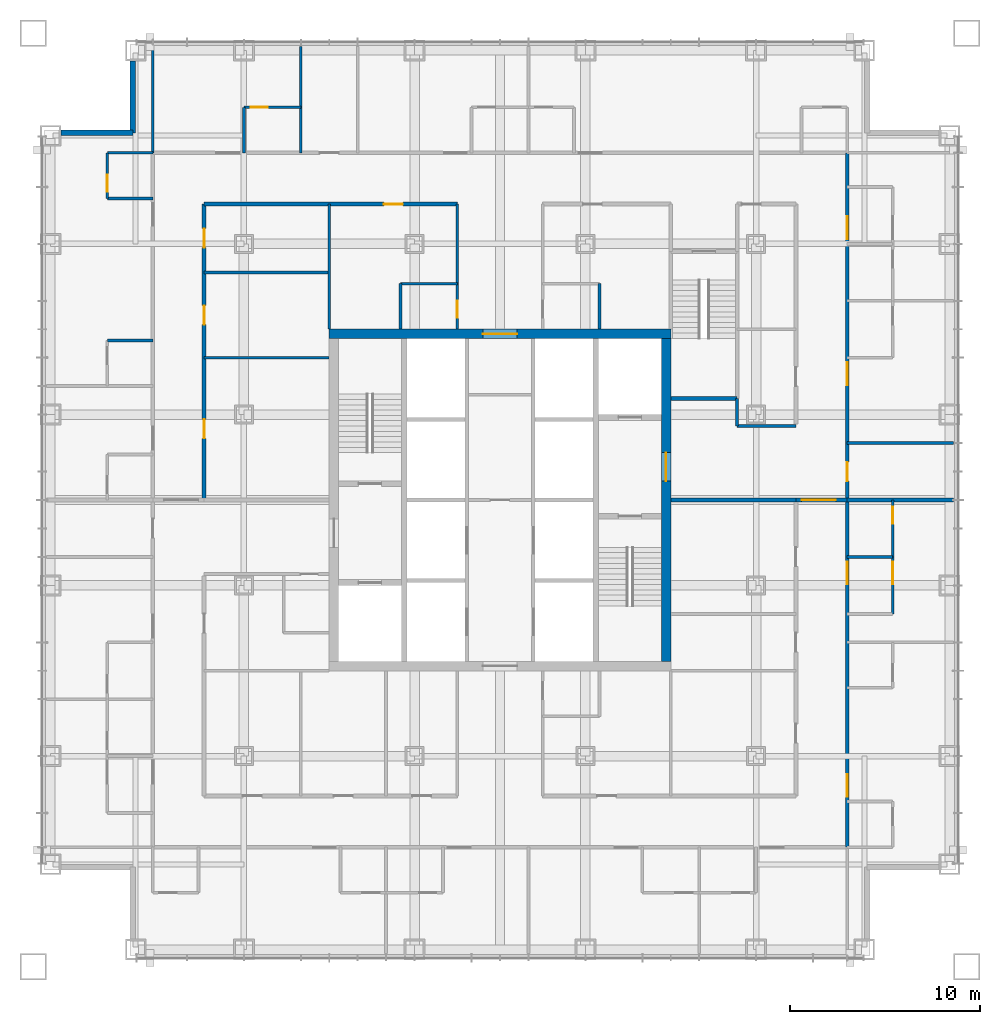
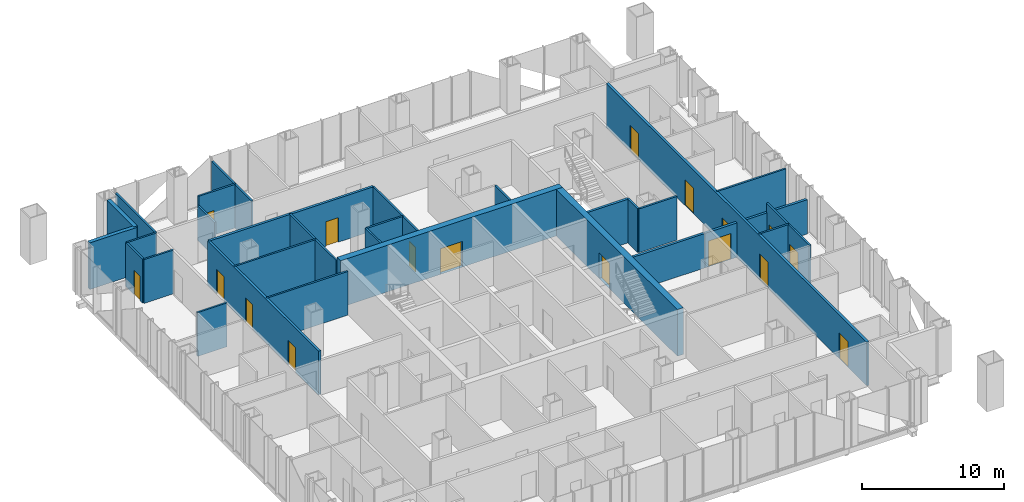
# One storey, part 11 of 16: 32 walls, 17 doors, 17 openings.
"""IFC4 building model written with IfcOpenShell, lengths in metres."""

from ifc_helpers import new_model, si_unit, direction, frame, frame_2d, origin, place, context, subcontext, project, spatial, rectangle, extrude, material, layer, layer_set, type_object, element, fill, save


model = new_model("IFC4")

# Units and contexts
model_context = context("Model", 3, precision=1e-05, world=origin(), true_north=direction((0.0, 1.0)))
body_context = subcontext(model_context, "Body", "Model", "MODEL_VIEW")
ifc_project = project(units=[si_unit("LENGTHUNIT", "METRE"), si_unit("AREAUNIT", "SQUARE_METRE"), si_unit("VOLUMEUNIT", "CUBIC_METRE"), si_unit("PLANEANGLEUNIT", "RADIAN"), si_unit("MASSUNIT", "GRAM", prefix="KILO")], contexts=[model_context])

# Site, building, storey
site_placement = place(None, origin())
site = spatial("IfcSite", under=ifc_project, at=site_placement, CompositionType="ELEMENT")
building_placement = place(site_placement, origin())
building = spatial("IfcBuilding", under=site, at=building_placement, Name="Malebo Sky Hospital", CompositionType="ELEMENT")
storey_placement = place(building_placement, frame((0.0, 0.0, 144.0)))
storey = spatial("IfcBuildingStorey", under=building, at=storey_placement, Name="L34", CompositionType="ELEMENT", Elevation=144.0)

# Wall, opening, door
ifc_material_1 = material(Name="Concrete C80/95", Category="concrete")
ifc_layer_1 = layer(ifc_material_1, 0.5)
ifc_layer_set_1 = layer_set([ifc_layer_1], Name="CORE WALL 500")
wall_type_1 = type_object("IfcWallType", Name="CORE WALL 500", PredefinedType="SHEAR", material=ifc_layer_set_1)
wall_1_placement = place(storey_placement, frame((51.0, 70.75, 0.0), z_axis=(0.0, 0.0, 1.0), x_axis=(1.0, 0.0, 0.0)))
wall_1 = element("IfcWall", 1, at=wall_1_placement, inside=storey, type_object=wall_type_1, Name="Core wall N L34", PredefinedType="SHEAR", context=body_context, shape_type="SweptSolid", body=[
    extrude(rectangle(XDim=18.0, YDim=0.5, at=frame_2d((9.0, 0.0))), origin(), (0.0, 0.0, 1.0), 4.0),
])
opening_1_placement = place(wall_1_placement, frame((8.10009765625, 0.0, 0.0)))
opening_1 = element("IfcOpeningElement", 2, at=opening_1_placement, cuts=wall_1, Name="Opening D06", PredefinedType="OPENING", context=body_context, shape_type="SweptSolid", body=[
    extrude(rectangle(XDim=1.800048828125, YDim=2.199951171875, at=frame_2d((0.89990234375, 1.10009765625))), frame((0.0, 0.260009765625, 0.0), z_axis=(0.0, -1.0, 0.0), x_axis=(1.0, 0.0, 0.0)), (0.0, 0.0, 1.0), 0.52001953125),
])
ifc_material_2 = material(Name="Hardwood-faced door leaf in steel frame", Category="steel")
door_type_1 = type_object("IfcDoorType", Name="LOBBY DOOR PAIR 1800", OperationType="DOUBLE_DOOR_SINGLE_SWING", PredefinedType="DOOR", material=ifc_material_2)
door_1_placement = place(opening_1_placement, origin())
door_1 = element("IfcDoor", 3, at=door_1_placement, inside=storey, type_object=door_type_1, Name="vending room door north", OperationType="DOUBLE_DOOR_SINGLE_SWING", OverallHeight=2.199951171875, OverallWidth=1.800048828125, PredefinedType="DOOR", context=body_context, shape_type="SweptSolid", body=[
    extrude(rectangle(XDim=1.800048828125, YDim=2.199951171875, at=frame_2d((0.89990234375, 1.10009765625))), frame((0.0, 0.02490234375, 0.0), z_axis=(0.0, -1.0, 0.0), x_axis=(1.0, 0.0, 0.0)), (0.0, 0.0, 1.0), 0.050048828125),
])
fill(opening_1, door_1)

wall_2_placement = place(storey_placement, frame((68.75, 53.5, 0.0), z_axis=(0.0, 0.0, 1.0), x_axis=(0.0, 1.0, 0.0)))
wall_2 = element("IfcWall", 4, at=wall_2_placement, inside=storey, type_object=wall_type_1, Name="Core wall E L34", PredefinedType="SHEAR", context=body_context, shape_type="SweptSolid", body=[
    extrude(rectangle(XDim=17.0, YDim=0.5, at=frame_2d((8.5, 0.0))), origin(), (0.0, 0.0, 1.0), 4.0),
])
opening_2_placement = place(wall_2_placement, frame((9.5, 0.0, 0.0)))
opening_2 = element("IfcOpeningElement", 5, at=opening_2_placement, cuts=wall_2, Name="Opening D07", PredefinedType="OPENING", context=body_context, shape_type="SweptSolid", body=[
    extrude(rectangle(XDim=1.5, YDim=2.199951171875, at=frame_2d((0.75, 1.10009765625))), frame((0.0, 0.260009765625, 0.0), z_axis=(0.0, -1.0, 0.0), x_axis=(1.0, 0.0, 0.0)), (0.0, 0.0, 1.0), 0.52001953125),
])
door_type_2 = type_object("IfcDoorType", Name="FIRE-FIGHTING LOBBY DOOR PAIR 1500", OperationType="DOUBLE_DOOR_SINGLE_SWING", PredefinedType="DOOR", material=ifc_material_2)
door_2_placement = place(opening_2_placement, origin())
door_2 = element("IfcDoor", 6, at=door_2_placement, inside=storey, type_object=door_type_2, Name="Fire-fighting lobby door east", OperationType="DOUBLE_DOOR_SINGLE_SWING", OverallHeight=2.199951171875, OverallWidth=1.5, PredefinedType="DOOR", context=body_context, shape_type="SweptSolid", body=[
    extrude(rectangle(XDim=1.5, YDim=2.199951171875, at=frame_2d((0.75, 1.10009765625))), frame((0.0, 0.02490234375, 0.0), z_axis=(0.0, -1.0, 0.0), x_axis=(1.0, 0.0, 0.0)), (0.0, 0.0, 1.0), 0.050048828125),
])
fill(opening_2, door_2)

ifc_material_3 = material(Name="Gypsum board on steel studs", Category="steel")
ifc_layer_2 = layer(ifc_material_3, 0.199951171875)
ifc_layer_set_2 = layer_set([ifc_layer_2], Name="CORRIDOR WALL 200")
wall_type_2 = type_object("IfcWallType", Name="CORRIDOR WALL 200", PredefinedType="PARTITIONING", material=ifc_layer_set_2)
wall_3_placement = place(storey_placement, frame((44.39990234375, 77.60009765625, 0.0), z_axis=(0.0, 0.0, 1.0), x_axis=(1.0, 0.0, 0.0)))
wall_3 = element("IfcWall", 7, at=wall_3_placement, inside=storey, type_object=wall_type_2, Name="Corridor Wall 200 NCI1", PredefinedType="PARTITIONING", context=body_context, shape_type="SweptSolid", body=[
    extrude(rectangle(XDim=13.35009765625, YDim=0.199951171875, at=frame_2d((6.675048828125, 0.0))), origin(), (0.0, 0.0, 1.0), 3.75),
])
opening_3_placement = place(wall_3_placement, frame((9.47509765625, 0.0, 0.0)))
opening_3 = element("IfcOpeningElement", 8, at=opening_3_placement, cuts=wall_3, Name="Opening D03", PredefinedType="OPENING", context=body_context, shape_type="SweptSolid", body=[
    extrude(rectangle(XDim=1.0, YDim=2.10009765625, at=frame_2d((0.5, 1.050048828125))), frame((0.0, 0.10986328125, 0.0), z_axis=(0.0, -1.0, 0.0), x_axis=(1.0, 0.0, 0.0)), (0.0, 0.0, 1.0), 0.219970703125),
])
door_type_3 = type_object("IfcDoorType", Name="ROOM DOOR 1000", OperationType="SINGLE_SWING_LEFT", PredefinedType="DOOR", material=ifc_material_2)
door_3_placement = place(opening_3_placement, origin())
door_3 = element("IfcDoor", 9, at=door_3_placement, inside=storey, type_object=door_type_3, Name="Interview room door", OperationType="SINGLE_SWING_LEFT", OverallHeight=2.10009765625, OverallWidth=1.0, PredefinedType="DOOR", context=body_context, shape_type="SweptSolid", body=[
    extrude(rectangle(XDim=1.0, YDim=2.10009765625, at=frame_2d((0.5, 1.050048828125))), frame((0.0, 0.02490234375, 0.0), z_axis=(0.0, -1.0, 0.0), x_axis=(1.0, 0.0, 0.0)), (0.0, 0.0, 1.0), 0.050048828125),
])
fill(opening_3, door_3)

# Wall, openings, doors
wall_4_placement = place(storey_placement, frame((44.39990234375, 62.0, 0.0), z_axis=(0.0, 0.0, 1.0), x_axis=(0.0, 1.0, 0.0)))
wall_4 = element("IfcWall", 10, at=wall_4_placement, inside=storey, type_object=wall_type_2, Name="Corridor Wall 200 WCI2", PredefinedType="PARTITIONING", context=body_context, shape_type="SweptSolid", body=[
    extrude(rectangle(XDim=15.60009765625, YDim=0.199951171875, at=frame_2d((7.800048828125, 0.0))), origin(), (0.0, 0.0, 1.0), 3.75),
])
opening_4_placement = place(wall_4_placement, frame((3.25, 0.0, 0.0)))
opening_4 = element("IfcOpeningElement", 11, at=opening_4_placement, cuts=wall_4, Name="Opening D03", PredefinedType="OPENING", context=body_context, shape_type="SweptSolid", body=[
    extrude(rectangle(XDim=1.0, YDim=2.10009765625, at=frame_2d((0.5, 1.050048828125))), frame((0.0, 0.10986328125, 0.0), z_axis=(0.0, -1.0, 0.0), x_axis=(1.0, 0.0, 0.0)), (0.0, 0.0, 1.0), 0.219970703125),
])
opening_5_placement = place(wall_4_placement, frame((9.25, 0.0, 0.0)))
opening_5 = element("IfcOpeningElement", 12, at=opening_5_placement, cuts=wall_4, Name="Opening D03", PredefinedType="OPENING", context=body_context, shape_type="SweptSolid", body=[
    extrude(rectangle(XDim=1.0, YDim=2.10009765625, at=frame_2d((0.5, 1.050048828125))), frame((0.0, 0.10986328125, 0.0), z_axis=(0.0, -1.0, 0.0), x_axis=(1.0, 0.0, 0.0)), (0.0, 0.0, 1.0), 0.219970703125),
])
opening_6_placement = place(wall_4_placement, frame((13.300048828125, 0.0, 0.0)))
opening_6 = element("IfcOpeningElement", 13, at=opening_6_placement, cuts=wall_4, Name="Opening D03", PredefinedType="OPENING", context=body_context, shape_type="SweptSolid", body=[
    extrude(rectangle(XDim=1.0, YDim=2.10009765625, at=frame_2d((0.5, 1.050048828125))), frame((0.0, 0.10986328125, 0.0), z_axis=(0.0, -1.0, 0.0), x_axis=(1.0, 0.0, 0.0)), (0.0, 0.0, 1.0), 0.219970703125),
])
door_4_placement = place(opening_4_placement, origin())
door_4 = element("IfcDoor", 14, at=door_4_placement, inside=storey, type_object=door_type_3, Name="Staff rest room door", OperationType="SINGLE_SWING_LEFT", OverallHeight=2.10009765625, OverallWidth=1.0, PredefinedType="DOOR", context=body_context, shape_type="SweptSolid", body=[
    extrude(rectangle(XDim=1.0, YDim=2.10009765625, at=frame_2d((0.5, 1.050048828125))), frame((0.0, 0.02490234375, 0.0), z_axis=(0.0, -1.0, 0.0), x_axis=(1.0, 0.0, 0.0)), (0.0, 0.0, 1.0), 0.050048828125),
])
fill(opening_4, door_4)
door_5_placement = place(opening_5_placement, origin())
door_5 = element("IfcDoor", 15, at=door_5_placement, inside=storey, type_object=door_type_3, Name="Counselling room door", OperationType="SINGLE_SWING_LEFT", OverallHeight=2.10009765625, OverallWidth=1.0, PredefinedType="DOOR", context=body_context, shape_type="SweptSolid", body=[
    extrude(rectangle(XDim=1.0, YDim=2.10009765625, at=frame_2d((0.5, 1.050048828125))), frame((0.0, 0.02490234375, 0.0), z_axis=(0.0, -1.0, 0.0), x_axis=(1.0, 0.0, 0.0)), (0.0, 0.0, 1.0), 0.050048828125),
])
fill(opening_5, door_5)
door_6_placement = place(opening_6_placement, origin())
door_6 = element("IfcDoor", 16, at=door_6_placement, inside=storey, type_object=door_type_3, Name="Medication room door", OperationType="SINGLE_SWING_RIGHT", OverallHeight=2.10009765625, OverallWidth=1.0, PredefinedType="DOOR", context=body_context, shape_type="SweptSolid", body=[
    extrude(rectangle(XDim=1.0, YDim=2.10009765625, at=frame_2d((0.5, 1.050048828125))), frame((0.0, 0.02490234375, 0.0), z_axis=(0.0, -1.0, 0.0), x_axis=(1.0, 0.0, 0.0)), (0.0, 0.0, 1.0), 0.050048828125),
])
fill(opening_6, door_6)

wall_5_placement = place(storey_placement, frame((78.300048828125, 80.300048828125, 0.0), z_axis=(0.0, 0.0, 1.0), x_axis=(0.0, -1.0, 0.0)))
wall_5 = element("IfcWall", 17, at=wall_5_placement, inside=storey, type_object=wall_type_2, Name="Corridor Wall 200 ECO", PredefinedType="PARTITIONING", context=body_context, shape_type="SweptSolid", body=[
    extrude(rectangle(XDim=36.60009765625, YDim=0.199951171875, at=frame_2d((18.300048828125, 0.0))), origin(), (0.0, 0.0, 1.0), 3.75),
])
opening_7_placement = place(wall_5_placement, frame((3.35009765625, 0.0, 0.0)))
opening_7 = element("IfcOpeningElement", 18, at=opening_7_placement, cuts=wall_5, Name="Opening D18", PredefinedType="OPENING", context=body_context, shape_type="SweptSolid", body=[
    extrude(rectangle(XDim=1.199951171875, YDim=2.199951171875, at=frame_2d((0.60009765625, 1.10009765625))), frame((0.0, 0.10986328125, 0.0), z_axis=(0.0, -1.0, 0.0), x_axis=(1.0, 0.0, 0.0)), (0.0, 0.0, 1.0), 0.219970703125),
])
opening_8_placement = place(wall_5_placement, frame((11.050048828125, 0.0, 0.0)))
opening_8 = element("IfcOpeningElement", 19, at=opening_8_placement, cuts=wall_5, Name="Opening D01", PredefinedType="OPENING", context=body_context, shape_type="SweptSolid", body=[
    extrude(rectangle(XDim=1.199951171875, YDim=2.199951171875, at=frame_2d((0.60009765625, 1.10009765625))), frame((0.0, 0.10986328125, 0.0), z_axis=(0.0, -1.0, 0.0), x_axis=(1.0, 0.0, 0.0)), (0.0, 0.0, 1.0), 0.219970703125),
])
opening_9_placement = place(wall_5_placement, frame((16.300048828125, 0.0, 0.0)))
opening_9 = element("IfcOpeningElement", 20, at=opening_9_placement, cuts=wall_5, Name="Opening D03", PredefinedType="OPENING", context=body_context, shape_type="SweptSolid", body=[
    extrude(rectangle(XDim=1.0, YDim=2.10009765625, at=frame_2d((0.5, 1.050048828125))), frame((0.0, 0.10986328125, 0.0), z_axis=(0.0, -1.0, 0.0), x_axis=(1.0, 0.0, 0.0)), (0.0, 0.0, 1.0), 0.219970703125),
])
opening_10_placement = place(wall_5_placement, frame((21.550048828125, 0.0, 0.0)))
opening_10 = element("IfcOpeningElement", 21, at=opening_10_placement, cuts=wall_5, Name="Opening D18", PredefinedType="OPENING", context=body_context, shape_type="SweptSolid", body=[
    extrude(rectangle(XDim=1.199951171875, YDim=2.199951171875, at=frame_2d((0.60009765625, 1.10009765625))), frame((0.0, 0.10986328125, 0.0), z_axis=(0.0, -1.0, 0.0), x_axis=(1.0, 0.0, 0.0)), (0.0, 0.0, 1.0), 0.219970703125),
])
opening_11_placement = place(wall_5_placement, frame((32.75, 0.0, 0.0)))
opening_11 = element("IfcOpeningElement", 22, at=opening_11_placement, cuts=wall_5, Name="Opening D01", PredefinedType="OPENING", context=body_context, shape_type="SweptSolid", body=[
    extrude(rectangle(XDim=1.199951171875, YDim=2.199951171875, at=frame_2d((0.60009765625, 1.10009765625))), frame((0.0, 0.10986328125, 0.0), z_axis=(0.0, -1.0, 0.0), x_axis=(1.0, 0.0, 0.0)), (0.0, 0.0, 1.0), 0.219970703125),
])
door_type_4 = type_object("IfcDoorType", Name="ANTEROOM DOOR 1200", OperationType="SINGLE_SWING_LEFT", PredefinedType="DOOR", material=ifc_material_2)
door_7_placement = place(opening_7_placement, origin())
door_7 = element("IfcDoor", 23, at=door_7_placement, inside=storey, type_object=door_type_4, Name="Anteroom door", OperationType="SINGLE_SWING_RIGHT", OverallHeight=2.199951171875, OverallWidth=1.199951171875, PredefinedType="DOOR", context=body_context, shape_type="SweptSolid", body=[
    extrude(rectangle(XDim=1.199951171875, YDim=2.199951171875, at=frame_2d((0.60009765625, 1.10009765625))), frame((0.0, 0.02490234375, 0.0), z_axis=(0.0, -1.0, 0.0), x_axis=(1.0, 0.0, 0.0)), (0.0, 0.0, 1.0), 0.050048828125),
])
fill(opening_7, door_7)
door_8_placement = place(opening_10_placement, origin())
door_8 = element("IfcDoor", 24, at=door_8_placement, inside=storey, type_object=door_type_4, Name="Anteroom door", OperationType="SINGLE_SWING_LEFT", OverallHeight=2.199951171875, OverallWidth=1.199951171875, PredefinedType="DOOR", context=body_context, shape_type="SweptSolid", body=[
    extrude(rectangle(XDim=1.199951171875, YDim=2.199951171875, at=frame_2d((0.60009765625, 1.10009765625))), frame((0.0, 0.02490234375, 0.0), z_axis=(0.0, -1.0, 0.0), x_axis=(1.0, 0.0, 0.0)), (0.0, 0.0, 1.0), 0.050048828125),
])
fill(opening_10, door_8)
door_type_5 = type_object("IfcDoorType", Name="BED DOOR 1200", OperationType="SINGLE_SWING_LEFT", PredefinedType="DOOR", material=ifc_material_2)
door_9_placement = place(opening_8_placement, origin())
door_9 = element("IfcDoor", 25, at=door_9_placement, inside=storey, type_object=door_type_5, Name="Single bed room door", OperationType="SINGLE_SWING_LEFT", OverallHeight=2.199951171875, OverallWidth=1.199951171875, PredefinedType="DOOR", context=body_context, shape_type="SweptSolid", body=[
    extrude(rectangle(XDim=1.199951171875, YDim=2.199951171875, at=frame_2d((0.60009765625, 1.10009765625))), frame((0.0, 0.02490234375, 0.0), z_axis=(0.0, -1.0, 0.0), x_axis=(1.0, 0.0, 0.0)), (0.0, 0.0, 1.0), 0.050048828125),
])
fill(opening_8, door_9)
door_10_placement = place(opening_11_placement, origin())
door_10 = element("IfcDoor", 26, at=door_10_placement, inside=storey, type_object=door_type_5, Name="Four-bed bay door", OperationType="SINGLE_SWING_RIGHT", OverallHeight=2.199951171875, OverallWidth=1.199951171875, PredefinedType="DOOR", context=body_context, shape_type="SweptSolid", body=[
    extrude(rectangle(XDim=1.199951171875, YDim=2.199951171875, at=frame_2d((0.60009765625, 1.10009765625))), frame((0.0, 0.02490234375, 0.0), z_axis=(0.0, -1.0, 0.0), x_axis=(1.0, 0.0, 0.0)), (0.0, 0.0, 1.0), 0.050048828125),
])
fill(opening_11, door_10)
door_11_placement = place(opening_9_placement, origin())
door_11 = element("IfcDoor", 27, at=door_11_placement, inside=storey, type_object=door_type_3, Name="Interview room door", OperationType="SINGLE_SWING_RIGHT", OverallHeight=2.10009765625, OverallWidth=1.0, PredefinedType="DOOR", context=body_context, shape_type="SweptSolid", body=[
    extrude(rectangle(XDim=1.0, YDim=2.10009765625, at=frame_2d((0.5, 1.050048828125))), frame((0.0, 0.02490234375, 0.0), z_axis=(0.0, -1.0, 0.0), x_axis=(1.0, 0.0, 0.0)), (0.0, 0.0, 1.0), 0.050048828125),
])
fill(opening_9, door_11)

# Walls
ifc_material_4 = material(Name="Anodised aluminium rainscreen on steel framing", Category="steel")
ifc_layer_3 = layer(ifc_material_4, 0.300048828125)
ifc_layer_set_3 = layer_set([ifc_layer_3], Name="NOTCH RAINSCREEN WALL 300")
wall_type_3 = type_object("IfcWallType", Name="NOTCH RAINSCREEN WALL 300", PredefinedType="ELEMENTEDWALL", material=ifc_layer_set_3)
for number, where, z_axis, x_axis, name in (
    (28, (36.85009765625, 81.35009765625, 0.0), (0.0, 0.0, 1.0), (1.0, 0.0, 0.0), "Notch rainscreen wall W1 L34"),
    (29, (40.64990234375, 81.35009765625, 0.0), (0.0, 0.0, 1.0), (0.0, 1.0, 0.0), "Notch rainscreen wall W2 L34"),
):
    element("IfcWall", number, at=place(storey_placement, frame(where, z_axis=z_axis, x_axis=x_axis)), inside=storey, type_object=wall_type_3, Name=name, PredefinedType="ELEMENTEDWALL", context=body_context, shape_type="SweptSolid", body=[
        extrude(rectangle(XDim=3.7998046875, YDim=0.300048828125, at=frame_2d((1.89990234375, 0.0))), origin(), (0.0, 0.0, 1.0), 4.0),
    ])
ifc_layer_4 = layer(ifc_material_3, 0.14990234375)
ifc_layer_set_4 = layer_set([ifc_layer_4], Name="PARTITION 150")
wall_type_4 = type_object("IfcWallType", Name="PARTITION 150", PredefinedType="PARTITIONING", material=ifc_layer_set_4)
for number, where, z_axis, x_axis, name in (
    (30, (49.5, 80.300048828125, 0.0), (0.0, 0.0, 1.0), (0.0, 1.0, 0.0), "Partition 150 NP-10.5"),
    (31, (41.699951171875, 80.300048828125, 0.0), (0.0, 0.0, 1.0), (0.0, 1.0, 0.0), "Partition 150 NP0"),
):
    element("IfcWall", number, at=place(storey_placement, frame(where, z_axis=z_axis, x_axis=x_axis)), inside=storey, type_object=wall_type_4, Name=name, PredefinedType="PARTITIONING", context=body_context, shape_type="SweptSolid", body=[
        extrude(rectangle(XDim=5.60986328125, YDim=0.14990234375, at=frame_2d((2.804931640625, 0.0))), origin(), (0.0, 0.0, 1.0), 3.75),
    ])

# Wall, opening, door
wall_6_placement = place(storey_placement, frame((46.5, 82.699951171875, 0.0), z_axis=(0.0, 0.0, 1.0), x_axis=(1.0, 0.0, 0.0)))
wall_6 = element("IfcWall", 32, at=wall_6_placement, inside=storey, type_object=wall_type_4, Name="Partition 150 NE0F", PredefinedType="PARTITIONING", context=body_context, shape_type="SweptSolid", body=[
    extrude(rectangle(XDim=3.0, YDim=0.14990234375, at=frame_2d((1.5, 0.0))), origin(), (0.0, 0.0, 1.0), 3.75),
])
opening_12_placement = place(wall_6_placement, frame((0.35009765625, 0.0, 0.0)))
opening_12 = element("IfcOpeningElement", 33, at=opening_12_placement, cuts=wall_6, Name="Opening D02", PredefinedType="OPENING", context=body_context, shape_type="SweptSolid", body=[
    extrude(rectangle(XDim=0.89990234375, YDim=2.10009765625, at=frame_2d((0.449951171875, 1.050048828125))), frame((0.0, 0.0849609375, 0.0), z_axis=(0.0, -1.0, 0.0), x_axis=(1.0, 0.0, 0.0)), (0.0, 0.0, 1.0), 0.169921875),
])
door_type_6 = type_object("IfcDoorType", Name="EN-SUITE DOOR 900", OperationType="SINGLE_SWING_LEFT", PredefinedType="DOOR", material=ifc_material_2)
door_12_placement = place(opening_12_placement, origin())
door_12 = element("IfcDoor", 34, at=door_12_placement, inside=storey, type_object=door_type_6, Name="En-suite door", OperationType="SINGLE_SWING_LEFT", OverallHeight=2.10009765625, OverallWidth=0.89990234375, PredefinedType="DOOR", context=body_context, shape_type="SweptSolid", body=[
    extrude(rectangle(XDim=0.89990234375, YDim=2.10009765625, at=frame_2d((0.449951171875, 1.050048828125))), frame((0.0, 0.02490234375, 0.0), z_axis=(0.0, -1.0, 0.0), x_axis=(1.0, 0.0, 0.0)), (0.0, 0.0, 1.0), 0.050048828125),
])
fill(opening_12, door_12)

# Walls
wall_7_placement = place(storey_placement, frame((46.5, 80.300048828125, 0.0), z_axis=(0.0, 0.0, 1.0), x_axis=(0.0, 1.0, 0.0)))
element("IfcWall", 35, at=wall_7_placement, inside=storey, type_object=wall_type_4, Name="Partition 150 NE0S", PredefinedType="PARTITIONING", context=body_context, shape_type="SweptSolid", body=[
    extrude(rectangle(XDim=2.39990234375, YDim=0.14990234375, at=frame_2d((1.199951171875, 0.0))), origin(), (0.0, 0.0, 1.0), 2.949951171875),
])
wall_8_placement = place(storey_placement, frame((51.0, 71.0, 0.0), z_axis=(0.0, 0.0, 1.0), x_axis=(0.0, 1.0, 0.0)))
element("IfcWall", 36, at=wall_8_placement, inside=storey, type_object=wall_type_4, Name="Partition 150 NSP0", PredefinedType="PARTITIONING", context=body_context, shape_type="SweptSolid", body=[
    extrude(rectangle(XDim=6.60009765625, YDim=0.14990234375, at=frame_2d((3.300048828125, 0.0))), origin(), (0.0, 0.0, 1.0), 3.75),
])

# Wall, opening, door
wall_9_placement = place(storey_placement, frame((57.75, 71.0, 0.0), z_axis=(0.0, 0.0, 1.0), x_axis=(0.0, 1.0, 0.0)))
wall_9 = element("IfcWall", 37, at=wall_9_placement, inside=storey, type_object=wall_type_4, Name="Partition 150 NSPA", PredefinedType="PARTITIONING", context=body_context, shape_type="SweptSolid", body=[
    extrude(rectangle(XDim=6.60009765625, YDim=0.14990234375, at=frame_2d((3.300048828125, 0.0))), origin(), (0.0, 0.0, 1.0), 3.75),
])
opening_13_placement = place(wall_9_placement, frame((0.60009765625, 0.0, 0.0)))
opening_13 = element("IfcOpeningElement", 38, at=opening_13_placement, cuts=wall_9, Name="Opening D04", PredefinedType="OPENING", context=body_context, shape_type="SweptSolid", body=[
    extrude(rectangle(XDim=0.89990234375, YDim=2.10009765625, at=frame_2d((0.449951171875, 1.050048828125))), frame((0.0, 0.0849609375, 0.0), z_axis=(0.0, -1.0, 0.0), x_axis=(1.0, 0.0, 0.0)), (0.0, 0.0, 1.0), 0.169921875),
])
door_type_7 = type_object("IfcDoorType", Name="ROOM DOOR 900", OperationType="SINGLE_SWING_LEFT", PredefinedType="DOOR", material=ifc_material_2)
door_13_placement = place(opening_13_placement, origin())
door_13 = element("IfcDoor", 39, at=door_13_placement, inside=storey, type_object=door_type_7, Name="Staff WC door", OperationType="SINGLE_SWING_LEFT", OverallHeight=2.10009765625, OverallWidth=0.89990234375, PredefinedType="DOOR", context=body_context, shape_type="SweptSolid", body=[
    extrude(rectangle(XDim=0.89990234375, YDim=2.10009765625, at=frame_2d((0.449951171875, 1.050048828125))), frame((0.0, 0.02490234375, 0.0), z_axis=(0.0, -1.0, 0.0), x_axis=(1.0, 0.0, 0.0)), (0.0, 0.0, 1.0), 0.050048828125),
])
fill(opening_13, door_13)

# Walls
wall_10_placement = place(storey_placement, frame((54.75, 73.39990234375, 0.0), z_axis=(0.0, 0.0, 1.0), x_axis=(1.0, 0.0, 0.0)))
element("IfcWall", 40, at=wall_10_placement, inside=storey, type_object=wall_type_4, Name="Partition 150 NSX0", PredefinedType="PARTITIONING", context=body_context, shape_type="SweptSolid", body=[
    extrude(rectangle(XDim=3.0, YDim=0.14990234375, at=frame_2d((1.5, 0.0))), origin(), (0.0, 0.0, 1.0), 3.75),
])
for number, where, z_axis, x_axis, name in (
    (41, (54.75, 71.0, 0.0), (0.0, 0.0, 1.0), (0.0, 1.0, 0.0), "Partition 150 NSY0"),
    (42, (65.25, 71.0, 0.0), (0.0, 0.0, 1.0), (0.0, 1.0, 0.0), "Partition 150 NSY1"),
):
    element("IfcWall", number, at=place(storey_placement, frame(where, z_axis=z_axis, x_axis=x_axis)), inside=storey, type_object=wall_type_4, Name=name, PredefinedType="PARTITIONING", context=body_context, shape_type="SweptSolid", body=[
        extrude(rectangle(XDim=2.39990234375, YDim=0.14990234375, at=frame_2d((1.199951171875, 0.0))), origin(), (0.0, 0.0, 1.0), 3.75),
    ])

# Wall, opening, door
wall_11_placement = place(storey_placement, frame((39.300048828125, 77.89990234375, 0.0), z_axis=(0.0, 0.0, 1.0), x_axis=(0.0, 1.0, 0.0)))
wall_11 = element("IfcWall", 43, at=wall_11_placement, inside=storey, type_object=wall_type_4, Name="Partition 150 WE4F", PredefinedType="PARTITIONING", context=body_context, shape_type="SweptSolid", body=[
    extrude(rectangle(XDim=2.400146484375, YDim=0.14990234375, at=frame_2d((1.2001953125, 0.0))), origin(), (0.0, 0.0, 1.0), 3.75),
])
opening_14_placement = place(wall_11_placement, frame((0.35009765625, 0.0, 0.0)))
opening_14 = element("IfcOpeningElement", 44, at=opening_14_placement, cuts=wall_11, Name="Opening D02", PredefinedType="OPENING", context=body_context, shape_type="SweptSolid", body=[
    extrude(rectangle(XDim=0.89990234375, YDim=2.10009765625, at=frame_2d((0.449951171875, 1.050048828125))), frame((0.0, 0.0849609375, 0.0), z_axis=(0.0, -1.0, 0.0), x_axis=(1.0, 0.0, 0.0)), (0.0, 0.0, 1.0), 0.169921875),
])
door_14_placement = place(opening_14_placement, origin())
door_14 = element("IfcDoor", 45, at=door_14_placement, inside=storey, type_object=door_type_6, Name="En-suite door", OperationType="SINGLE_SWING_LEFT", OverallHeight=2.10009765625, OverallWidth=0.89990234375, PredefinedType="DOOR", context=body_context, shape_type="SweptSolid", body=[
    extrude(rectangle(XDim=0.89990234375, YDim=2.10009765625, at=frame_2d((0.449951171875, 1.050048828125))), frame((0.0, 0.02490234375, 0.0), z_axis=(0.0, -1.0, 0.0), x_axis=(1.0, 0.0, 0.0)), (0.0, 0.0, 1.0), 0.050048828125),
])
fill(opening_14, door_14)

# Walls
for number, where, z_axis, x_axis, name in (
    (46, (41.699951171875, 77.89990234375, 0.0), (0.0, 0.0, 1.0), (-1.0, 0.0, 0.0), "Partition 150 WE4S"),
    (47, (41.699951171875, 70.39990234375, 0.0), (0.0, 0.0, 1.0), (-1.0, 0.0, 0.0), "Partition 150 WG4S"),
    (48, (41.699951171875, 80.300048828125, 0.0), (0.0, 0.0, 1.0), (-1.0, 0.0, 0.0), "Partition 150 WEZ"),
):
    element("IfcWall", number, at=place(storey_placement, frame(where, z_axis=z_axis, x_axis=x_axis)), inside=storey, type_object=wall_type_4, Name=name, PredefinedType="PARTITIONING", context=body_context, shape_type="SweptSolid", body=[
        extrude(rectangle(XDim=2.39990234375, YDim=0.14990234375, at=frame_2d((1.199951171875, 0.0))), origin(), (0.0, 0.0, 1.0), 3.75),
    ])
for number, where, z_axis, x_axis, name in (
    (49, (51.0, 69.5, 0.0), (0.0, 0.0, 1.0), (-1.0, 0.0, 0.0), "Partition 150 WSP+7.5"),
    (50, (51.0, 74.0, 0.0), (0.0, 0.0, 1.0), (-1.0, 0.0, 0.0), "Partition 150 WSP+12.0"),
):
    element("IfcWall", number, at=place(storey_placement, frame(where, z_axis=z_axis, x_axis=x_axis)), inside=storey, type_object=wall_type_4, Name=name, PredefinedType="PARTITIONING", context=body_context, shape_type="SweptSolid", body=[
        extrude(rectangle(XDim=6.60009765625, YDim=0.14990234375, at=frame_2d((3.300048828125, 0.0))), origin(), (0.0, 0.0, 1.0), 3.75),
    ])
wall_12_placement = place(storey_placement, frame((78.300048828125, 65.0, 0.0), z_axis=(0.0, 0.0, 1.0), x_axis=(1.0, 0.0, 0.0)))
element("IfcWall", 51, at=wall_12_placement, inside=storey, type_object=wall_type_4, Name="Partition 150 EP-3.0", PredefinedType="PARTITIONING", context=body_context, shape_type="SweptSolid", body=[
    extrude(rectangle(XDim=5.60986328125, YDim=0.14990234375, at=frame_2d((2.804931640625, 0.0))), origin(), (0.0, 0.0, 1.0), 3.75),
])

# Wall, opening, door
wall_13_placement = place(storey_placement, frame((80.699951171875, 62.0, 0.0), z_axis=(0.0, 0.0, 1.0), x_axis=(0.0, -1.0, 0.0)))
wall_13 = element("IfcWall", 52, at=wall_13_placement, inside=storey, type_object=wall_type_4, Name="Partition 150 EE3F", PredefinedType="PARTITIONING", context=body_context, shape_type="SweptSolid", body=[
    extrude(rectangle(XDim=3.0, YDim=0.14990234375, at=frame_2d((1.5, 0.0))), origin(), (0.0, 0.0, 1.0), 3.75),
])
opening_15_placement = place(wall_13_placement, frame((0.35009765625, 0.0, 0.0)))
opening_15 = element("IfcOpeningElement", 53, at=opening_15_placement, cuts=wall_13, Name="Opening D02", PredefinedType="OPENING", context=body_context, shape_type="SweptSolid", body=[
    extrude(rectangle(XDim=0.89990234375, YDim=2.10009765625, at=frame_2d((0.449951171875, 1.050048828125))), frame((0.0, 0.0849609375, 0.0), z_axis=(0.0, -1.0, 0.0), x_axis=(1.0, 0.0, 0.0)), (0.0, 0.0, 1.0), 0.169921875),
])
door_15_placement = place(opening_15_placement, origin())
door_15 = element("IfcDoor", 54, at=door_15_placement, inside=storey, type_object=door_type_6, Name="En-suite door", OperationType="SINGLE_SWING_LEFT", OverallHeight=2.10009765625, OverallWidth=0.89990234375, PredefinedType="DOOR", context=body_context, shape_type="SweptSolid", body=[
    extrude(rectangle(XDim=0.89990234375, YDim=2.10009765625, at=frame_2d((0.449951171875, 1.050048828125))), frame((0.0, 0.02490234375, 0.0), z_axis=(0.0, -1.0, 0.0), x_axis=(1.0, 0.0, 0.0)), (0.0, 0.0, 1.0), 0.050048828125),
])
fill(opening_15, door_15)

# Walls
wall_14_placement = place(storey_placement, frame((78.300048828125, 59.0, 0.0), z_axis=(0.0, 0.0, 1.0), x_axis=(1.0, 0.0, 0.0)))
element("IfcWall", 55, at=wall_14_placement, inside=storey, type_object=wall_type_4, Name="Partition 150 EE3S", PredefinedType="PARTITIONING", context=body_context, shape_type="SweptSolid", body=[
    extrude(rectangle(XDim=2.39990234375, YDim=0.14990234375, at=frame_2d((1.199951171875, 0.0))), origin(), (0.0, 0.0, 1.0), 3.75),
])
wall_15_placement = place(storey_placement, frame((72.5, 65.89990234375, 0.0), z_axis=(0.0, 0.0, 1.0), x_axis=(1.0, 0.0, 0.0)))
element("IfcWall", 56, at=wall_15_placement, inside=storey, type_object=wall_type_4, Name="Partition 150 ESPA", PredefinedType="PARTITIONING", context=body_context, shape_type="SweptSolid", body=[
    extrude(rectangle(XDim=3.10009765625, YDim=0.14990234375, at=frame_2d((1.550048828125, 0.0))), origin(), (0.0, 0.0, 1.0), 3.75),
])
wall_16_placement = place(storey_placement, frame((72.5, 65.89990234375, 0.0), z_axis=(0.0, 0.0, 1.0), x_axis=(0.0, 1.0, 0.0)))
element("IfcWall", 57, at=wall_16_placement, inside=storey, type_object=wall_type_4, Name="Partition 150 ST3C", PredefinedType="PARTITIONING", context=body_context, shape_type="SweptSolid", body=[
    extrude(rectangle(XDim=1.4501953125, YDim=0.14990234375, at=frame_2d((0.72509765625, 0.0))), origin(), (0.0, 0.0, 1.0), 3.75),
])

# Wall, opening, door
ifc_material_5 = material(Name="Sealed gypsum board on steel studs, taped to the slab", Category="steel")
ifc_layer_5 = layer(ifc_material_5, 0.14990234375)
ifc_layer_set_5 = layer_set([ifc_layer_5], Name="SEALED ISOLATION PARTITION 150")
wall_type_5 = type_object("IfcWallType", Name="SEALED ISOLATION PARTITION 150", PredefinedType="PARTITIONING", material=ifc_layer_set_5)
wall_17_placement = place(storey_placement, frame((80.699951171875, 59.0, 0.0), z_axis=(0.0, 0.0, 1.0), x_axis=(0.0, -1.0, 0.0)))
wall_17 = element("IfcWall", 58, at=wall_17_placement, inside=storey, type_object=wall_type_5, Name="Sealed Isolation Partition 150 EA3F", PredefinedType="PARTITIONING", context=body_context, shape_type="SweptSolid", body=[
    extrude(rectangle(XDim=3.0, YDim=0.14990234375, at=frame_2d((1.5, 0.0))), origin(), (0.0, 0.0, 1.0), 3.75),
])
opening_16_placement = place(wall_17_placement, frame((0.25, 0.0, 0.0)))
opening_16 = element("IfcOpeningElement", 59, at=opening_16_placement, cuts=wall_17, Name="Opening D19", PredefinedType="OPENING", context=body_context, shape_type="SweptSolid", body=[
    extrude(rectangle(XDim=1.199951171875, YDim=2.199951171875, at=frame_2d((0.60009765625, 1.10009765625))), frame((0.0, 0.0849609375, 0.0), z_axis=(0.0, -1.0, 0.0), x_axis=(1.0, 0.0, 0.0)), (0.0, 0.0, 1.0), 0.169921875),
])
ifc_material_6 = material(Name="Hardwood-faced door leaf with perimeter seals in steel frame", Category="steel")
door_type_8 = type_object("IfcDoorType", Name="SEALED ISOLATION ROOM DOOR 1200", OperationType="SINGLE_SWING_LEFT", PredefinedType="DOOR", material=ifc_material_6)
door_16_placement = place(opening_16_placement, origin())
door_16 = element("IfcDoor", 60, at=door_16_placement, inside=storey, type_object=door_type_8, Name="Isolation room door", OperationType="SINGLE_SWING_LEFT", OverallHeight=2.199951171875, OverallWidth=1.199951171875, PredefinedType="DOOR", context=body_context, shape_type="SweptSolid", body=[
    extrude(rectangle(XDim=1.199951171875, YDim=2.199951171875, at=frame_2d((0.60009765625, 1.10009765625))), frame((0.0, 0.02490234375, 0.0), z_axis=(0.0, -1.0, 0.0), x_axis=(1.0, 0.0, 0.0)), (0.0, 0.0, 1.0), 0.050048828125),
])
fill(opening_16, door_16)

# Walls
ifc_material_7 = material(Name="Concrete blockwork", Category="masonry")
ifc_layer_6 = layer(ifc_material_7, 0.199951171875)
ifc_layer_set_6 = layer_set([ifc_layer_6], Name="SMOKE BARRIER WALL 200")
wall_type_6 = type_object("IfcWallType", Name="SMOKE BARRIER WALL 200", PredefinedType="SOLIDWALL", material=ifc_layer_set_6)
wall_18_placement = place(storey_placement, frame((78.300048828125, 62.0, 0.0), z_axis=(0.0, 0.0, 1.0), x_axis=(1.0, 0.0, 0.0)))
element("IfcWall", 61, at=wall_18_placement, inside=storey, type_object=wall_type_6, Name="Smoke Barrier Wall 200 EP+0.0", PredefinedType="SOLIDWALL", context=body_context, shape_type="SweptSolid", body=[
    extrude(rectangle(XDim=5.60986328125, YDim=0.199951171875, at=frame_2d((2.804931640625, 0.0))), origin(), (0.0, 0.0, 1.0), 2.949951171875),
])
wall_19_placement = place(storey_placement, frame((69.0, 62.0, 0.0), z_axis=(0.0, 0.0, 1.0), x_axis=(1.0, 0.0, 0.0)))
element("IfcWall", 62, at=wall_19_placement, inside=storey, type_object=wall_type_6, Name="Smoke Barrier Wall 200 ESPB", PredefinedType="SOLIDWALL", context=body_context, shape_type="SweptSolid", body=[
    extrude(rectangle(XDim=6.60009765625, YDim=0.199951171875, at=frame_2d((3.300048828125, 0.0))), origin(), (0.0, 0.0, 1.0), 2.949951171875),
])

# Wall, opening, door
wall_20_placement = place(storey_placement, frame((75.60009765625, 62.0, 0.0), z_axis=(0.0, 0.0, 1.0), x_axis=(1.0, 0.0, 0.0)))
wall_20 = element("IfcWall", 63, at=wall_20_placement, inside=storey, type_object=wall_type_6, Name="Smoke Barrier Wall 200 ESB", PredefinedType="SOLIDWALL", context=body_context, shape_type="SweptSolid", body=[
    extrude(rectangle(XDim=2.699951171875, YDim=0.199951171875, at=frame_2d((1.35009765625, 0.0))), origin(), (0.0, 0.0, 1.0), 2.949951171875),
])
opening_17_placement = place(wall_20_placement, frame((0.300048828125, 0.0, 0.0)))
opening_17 = element("IfcOpeningElement", 64, at=opening_17_placement, cuts=wall_20, Name="Opening D05", PredefinedType="OPENING", context=body_context, shape_type="SweptSolid", body=[
    extrude(rectangle(XDim=1.800048828125, YDim=2.199951171875, at=frame_2d((0.89990234375, 1.10009765625))), frame((0.0, 0.10986328125, 0.0), z_axis=(0.0, -1.0, 0.0), x_axis=(1.0, 0.0, 0.0)), (0.0, 0.0, 1.0), 0.219970703125),
])
door_type_9 = type_object("IfcDoorType", Name="SMOKE DOOR PAIR 1800", OperationType="DOUBLE_DOOR_DOUBLE_SWING", PredefinedType="DOOR", material=ifc_material_2)
door_17_placement = place(opening_17_placement, origin())
door_17 = element("IfcDoor", 65, at=door_17_placement, inside=storey, type_object=door_type_9, Name="Smoke compartment door pair", OperationType="DOUBLE_DOOR_DOUBLE_SWING", OverallHeight=2.199951171875, OverallWidth=1.800048828125, PredefinedType="DOOR", context=body_context, shape_type="SweptSolid", body=[
    extrude(rectangle(XDim=1.800048828125, YDim=2.199951171875, at=frame_2d((0.89990234375, 1.10009765625))), frame((0.0, 0.02490234375, 0.0), z_axis=(0.0, -1.0, 0.0), x_axis=(1.0, 0.0, 0.0)), (0.0, 0.0, 1.0), 0.050048828125),
])
fill(opening_17, door_17)

# Wall
ifc_material_8 = material(Name="Concrete C40/50", Category="concrete")
ifc_layer_7 = layer(ifc_material_8, 0.199951171875)
ifc_layer_set_7 = layer_set([ifc_layer_7], Name="STAIR ENCLOSURE WALL 200")
wall_type_7 = type_object("IfcWallType", Name="STAIR ENCLOSURE WALL 200", PredefinedType="SOLIDWALL", material=ifc_layer_set_7)
wall_21_placement = place(storey_placement, frame((69.0, 67.35009765625, 0.0), z_axis=(0.0, 0.0, 1.0), x_axis=(1.0, 0.0, 0.0)))
element("IfcWall", 66, at=wall_21_placement, inside=storey, type_object=wall_type_7, Name="Stair Enclosure Wall 200 ST3S", PredefinedType="SOLIDWALL", context=body_context, shape_type="SweptSolid", body=[
    extrude(rectangle(XDim=3.5, YDim=0.199951171875, at=frame_2d((1.75, 0.0))), origin(), (0.0, 0.0, 1.0), 3.75),
])

save(model, "model.ifc")
